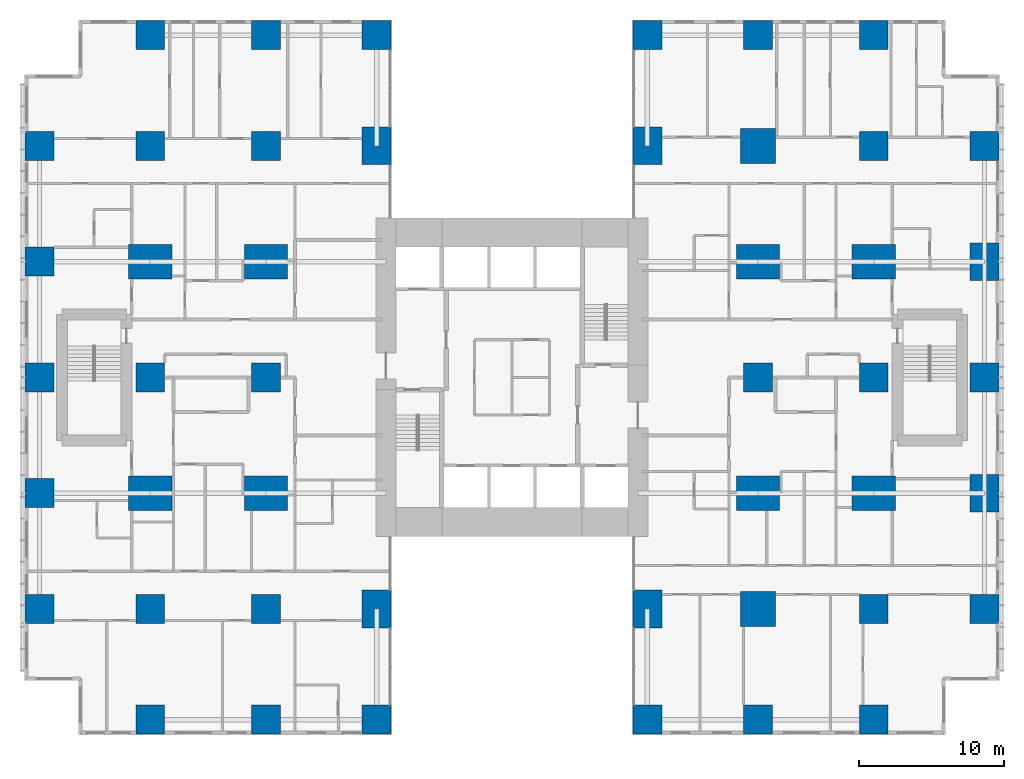
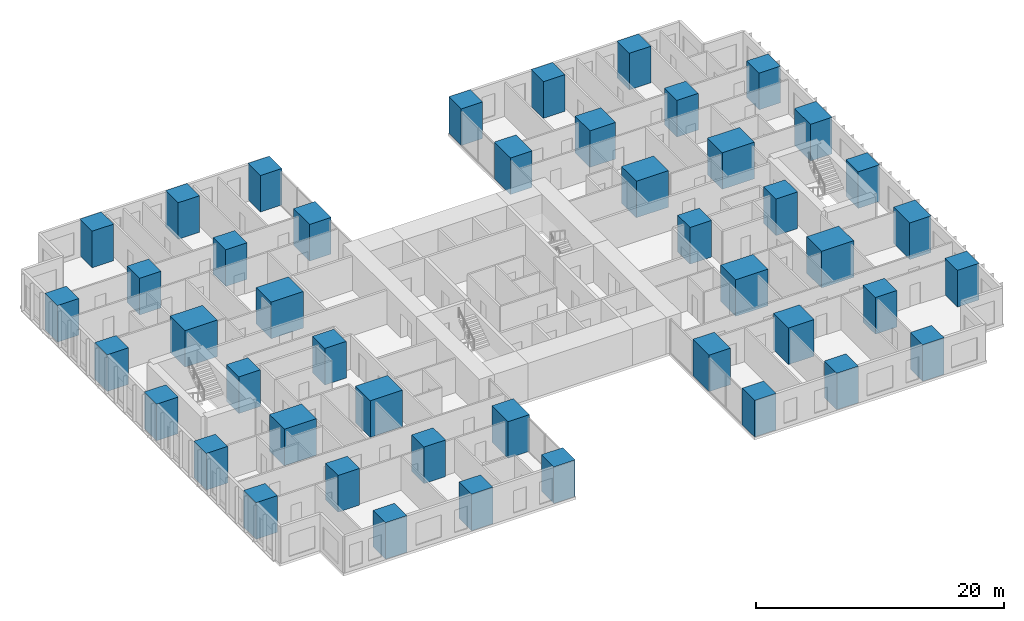
# One storey, part 1 of 21: 46 columns.
"""IFC4 building model written with IfcOpenShell, lengths in metres."""

from ifc_helpers import new_model, si_unit, direction, frame, origin, origin_2d, place, context, subcontext, project, spatial, rectangle, extrude, material, material_profile, profile_set, type_object, element, save


model = new_model("IFC4")

# Units and contexts
model_context = context("Model", 3, precision=1e-05, world=origin(), true_north=direction((0.0, 1.0)))
body_context = subcontext(model_context, "Body", "Model", "MODEL_VIEW")
ifc_project = project(units=[si_unit("LENGTHUNIT", "METRE"), si_unit("AREAUNIT", "SQUARE_METRE"), si_unit("VOLUMEUNIT", "CUBIC_METRE"), si_unit("PLANEANGLEUNIT", "RADIAN"), si_unit("MASSUNIT", "GRAM", prefix="KILO")], contexts=[model_context])

# Site, building, storey
site_placement = place(None, origin())
site = spatial("IfcSite", under=ifc_project, at=site_placement, CompositionType="ELEMENT")
building_placement = place(site_placement, origin())
building = spatial("IfcBuilding", under=site, at=building_placement, Name="Cleftline Residences", CompositionType="ELEMENT")
storey_placement = place(building_placement, frame((0.0, 0.0, 161.0)))
storey = spatial("IfcBuildingStorey", under=building, at=storey_placement, Name="L42", CompositionType="ELEMENT", Elevation=161.0)

# Columns
ifc_material_1 = material(Name="Concrete B70", Category="concrete")
ifc_material_profile_1 = material_profile(ifc_material_1, rectangle(XDim=2.0, YDim=2.0, at=origin_2d()))
ifc_profile_set_1 = profile_set([ifc_material_profile_1], Name="Concrete B70")
column_type_1 = type_object("IfcColumnType", Name="COLUMN RC2000X2000", PredefinedType="COLUMN", material=ifc_profile_set_1)
for number, where, z_axis, x_axis, name in (
    (1, (0.35009765625, 8.0, 0.0), (0.0, 0.0, 1.0), (1.0, 0.0, 0.0), "Column D/3"),
    (2, (0.35009765625, 16.0, 0.0), (0.0, 0.0, 1.0), (1.0, 0.0, 0.0), "Column E/3"),
    (3, (0.35009765625, 24.0, 0.0), (0.0, 0.0, 1.0), (1.0, 0.0, 0.0), "Column F/3"),
    (4, (0.35009765625, 32.0, 0.0), (0.0, 0.0, 1.0), (1.0, 0.0, 0.0), "Column G/3"),
    (5, (0.35009765625, 40.0, 0.0), (0.0, 0.0, 1.0), (1.0, 0.0, 0.0), "Column H/3"),
    (6, (8.0, 0.35009765625, 0.0), (0.0, 0.0, 1.0), (1.0, 0.0, 0.0), "Column C/4"),
    (7, (8.0, 8.0, 0.0), (0.0, 0.0, 1.0), (1.0, 0.0, 0.0), "Column D/4"),
    (8, (8.0, 24.0, 0.0), (0.0, 0.0, 1.0), (1.0, 0.0, 0.0), "Column F/4"),
    (9, (8.0, 40.0, 0.0), (0.0, 0.0, 1.0), (1.0, 0.0, 0.0), "Column H/4"),
    (10, (8.0, 47.64990234375, 0.0), (0.0, 0.0, 1.0), (1.0, 0.0, 0.0), "Column J/4"),
    (11, (16.0, 0.35009765625, 0.0), (0.0, 0.0, 1.0), (1.0, 0.0, 0.0), "Column C/5"),
    (12, (16.0, 8.0, 0.0), (0.0, 0.0, 1.0), (1.0, 0.0, 0.0), "Column D/5"),
    (13, (16.0, 24.0, 0.0), (0.0, 0.0, 1.0), (1.0, 0.0, 0.0), "Column F/5"),
    (14, (16.0, 40.0, 0.0), (0.0, 0.0, 1.0), (1.0, 0.0, 0.0), "Column H/5"),
    (15, (16.0, 47.64990234375, 0.0), (0.0, 0.0, 1.0), (1.0, 0.0, 0.0), "Column J/5"),
    (16, (23.64990234375, 0.35009765625, 0.0), (0.0, 0.0, 1.0), (1.0, 0.0, 0.0), "Column C/6"),
    (17, (23.64990234375, 47.64990234375, 0.0), (0.0, 0.0, 1.0), (1.0, 0.0, 0.0), "Column J/6"),
    (18, (42.35009765625, 0.35009765625, 0.0), (0.0, 0.0, 1.0), (1.0, 0.0, 0.0), "Column C/8"),
    (19, (42.35009765625, 47.64990234375, 0.0), (0.0, 0.0, 1.0), (1.0, 0.0, 0.0), "Column J/8"),
    (20, (50.0, 0.35009765625, 0.0), (0.0, 0.0, 1.0), (1.0, 0.0, 0.0), "Column C/9"),
    (21, (50.0, 24.0, 0.0), (0.0, 0.0, 1.0), (1.0, 0.0, 0.0), "Column F/9"),
    (22, (50.0, 47.64990234375, 0.0), (0.0, 0.0, 1.0), (1.0, 0.0, 0.0), "Column J/9"),
    (23, (58.0, 0.35009765625, 0.0), (0.0, 0.0, 1.0), (1.0, 0.0, 0.0), "Column C/10"),
    (24, (58.0, 8.0, 0.0), (0.0, 0.0, 1.0), (1.0, 0.0, 0.0), "Column D/10"),
    (25, (58.0, 24.0, 0.0), (0.0, 0.0, 1.0), (1.0, 0.0, 0.0), "Column F/10"),
    (26, (58.0, 40.0, 0.0), (0.0, 0.0, 1.0), (1.0, 0.0, 0.0), "Column H/10"),
    (27, (58.0, 47.64990234375, 0.0), (0.0, 0.0, 1.0), (1.0, 0.0, 0.0), "Column J/10"),
    (28, (65.64990234375, 8.0, 0.0), (0.0, 0.0, 1.0), (1.0, 0.0, 0.0), "Column D/11"),
    (29, (65.64990234375, 24.0, 0.0), (0.0, 0.0, 1.0), (1.0, 0.0, 0.0), "Column F/11"),
    (30, (65.64990234375, 40.0, 0.0), (0.0, 0.0, 1.0), (1.0, 0.0, 0.0), "Column H/11"),
):
    element("IfcColumn", number, at=place(storey_placement, frame(where, z_axis=z_axis, x_axis=x_axis)), inside=storey, type_object=column_type_1, Name=name, PredefinedType="COLUMN", context=body_context, shape_type="SweptSolid", body=[
        extrude(rectangle(XDim=2.0, YDim=2.0, at=origin_2d()), origin(), (0.0, 0.0, 1.0), 3.60009765625),
    ])
ifc_material_2 = material(Name="Concrete B70", Category="concrete")
ifc_material_profile_2 = material_profile(ifc_material_2, rectangle(XDim=2.0, YDim=2.60009765625, at=origin_2d()))
ifc_profile_set_2 = profile_set([ifc_material_profile_2], Name="Concrete B70")
column_type_2 = type_object("IfcColumnType", Name="COLUMN RC2000X2600", PredefinedType="COLUMN", material=ifc_profile_set_2)
for number, where, z_axis, x_axis, name in (
    (31, (23.64990234375, 8.0, 0.0), (0.0, 0.0, 1.0), (1.0, 0.0, 0.0), "Column D/6"),
    (32, (23.64990234375, 40.0, 0.0), (0.0, 0.0, 1.0), (1.0, 0.0, 0.0), "Column H/6"),
    (33, (42.35009765625, 8.0, 0.0), (0.0, 0.0, 1.0), (1.0, 0.0, 0.0), "Column D/8"),
    (34, (42.35009765625, 40.0, 0.0), (0.0, 0.0, 1.0), (1.0, 0.0, 0.0), "Column H/8"),
):
    element("IfcColumn", number, at=place(storey_placement, frame(where, z_axis=z_axis, x_axis=x_axis)), inside=storey, type_object=column_type_2, Name=name, PredefinedType="COLUMN", context=body_context, shape_type="SweptSolid", body=[
        extrude(rectangle(XDim=2.0, YDim=2.60009765625, at=origin_2d()), origin(), (0.0, 0.0, 1.0), 3.60009765625),
    ])
ifc_material_3 = material(Name="Concrete B70", Category="concrete")
ifc_material_profile_3 = material_profile(ifc_material_3, rectangle(XDim=2.39990234375, YDim=2.39990234375, at=origin_2d()))
ifc_profile_set_3 = profile_set([ifc_material_profile_3], Name="Concrete B70")
column_type_3 = type_object("IfcColumnType", Name="COLUMN RC2400X2400", PredefinedType="COLUMN", material=ifc_profile_set_3)
for number, where, z_axis, x_axis, name in (
    (35, (50.0, 8.0, 0.0), (0.0, 0.0, 1.0), (1.0, 0.0, 0.0), "Column D/9"),
    (36, (50.0, 40.0, 0.0), (0.0, 0.0, 1.0), (1.0, 0.0, 0.0), "Column H/9"),
):
    element("IfcColumn", number, at=place(storey_placement, frame(where, z_axis=z_axis, x_axis=x_axis)), inside=storey, type_object=column_type_3, Name=name, PredefinedType="COLUMN", context=body_context, shape_type="SweptSolid", body=[
        extrude(rectangle(XDim=2.39990234375, YDim=2.39990234375, at=origin_2d()), origin(), (0.0, 0.0, 1.0), 3.60009765625),
    ])
ifc_material_4 = material(Name="Concrete B70", Category="concrete")
ifc_material_profile_4 = material_profile(ifc_material_4, rectangle(XDim=2.60009765625, YDim=2.0, at=origin_2d()))
ifc_profile_set_4 = profile_set([ifc_material_profile_4], Name="Concrete B70")
column_type_4 = type_object("IfcColumnType", Name="COLUMN RC2600X2000", PredefinedType="COLUMN", material=ifc_profile_set_4)
for number, where, z_axis, x_axis, name in (
    (37, (65.64990234375, 16.0, 0.0), (0.0, 0.0, 1.0), (0.0, 1.0, 0.0), "Column E/11"),
    (38, (65.64990234375, 32.0, 0.0), (0.0, 0.0, 1.0), (0.0, 1.0, 0.0), "Column G/11"),
):
    element("IfcColumn", number, at=place(storey_placement, frame(where, z_axis=z_axis, x_axis=x_axis)), inside=storey, type_object=column_type_4, Name=name, PredefinedType="COLUMN", context=body_context, shape_type="SweptSolid", body=[
        extrude(rectangle(XDim=2.60009765625, YDim=2.0, at=origin_2d()), origin(), (0.0, 0.0, 1.0), 3.60009765625),
    ])
ifc_material_5 = material(Name="Concrete B70", Category="concrete")
ifc_material_profile_5 = material_profile(ifc_material_5, rectangle(XDim=3.0, YDim=2.39990234375, at=origin_2d()))
ifc_profile_set_5 = profile_set([ifc_material_profile_5], Name="Concrete B70")
column_type_5 = type_object("IfcColumnType", Name="COLUMN RC3000X2400", PredefinedType="COLUMN", material=ifc_profile_set_5)
for number, where, z_axis, x_axis, name in (
    (39, (8.0, 16.0, 0.0), (0.0, 0.0, 1.0), (1.0, 0.0, 0.0), "Column E/4"),
    (40, (8.0, 32.0, 0.0), (0.0, 0.0, 1.0), (1.0, 0.0, 0.0), "Column G/4"),
    (41, (16.0, 16.0, 0.0), (0.0, 0.0, 1.0), (1.0, 0.0, 0.0), "Column E/5"),
    (42, (16.0, 32.0, 0.0), (0.0, 0.0, 1.0), (1.0, 0.0, 0.0), "Column G/5"),
    (43, (50.0, 16.0, 0.0), (0.0, 0.0, 1.0), (1.0, 0.0, 0.0), "Column E/9"),
    (44, (50.0, 32.0, 0.0), (0.0, 0.0, 1.0), (1.0, 0.0, 0.0), "Column G/9"),
    (45, (58.0, 16.0, 0.0), (0.0, 0.0, 1.0), (1.0, 0.0, 0.0), "Column E/10"),
    (46, (58.0, 32.0, 0.0), (0.0, 0.0, 1.0), (1.0, 0.0, 0.0), "Column G/10"),
):
    element("IfcColumn", number, at=place(storey_placement, frame(where, z_axis=z_axis, x_axis=x_axis)), inside=storey, type_object=column_type_5, Name=name, PredefinedType="COLUMN", context=body_context, shape_type="SweptSolid", body=[
        extrude(rectangle(XDim=3.0, YDim=2.39990234375, at=origin_2d()), origin(), (0.0, 0.0, 1.0), 3.60009765625),
    ])

save(model, "model.ifc")
